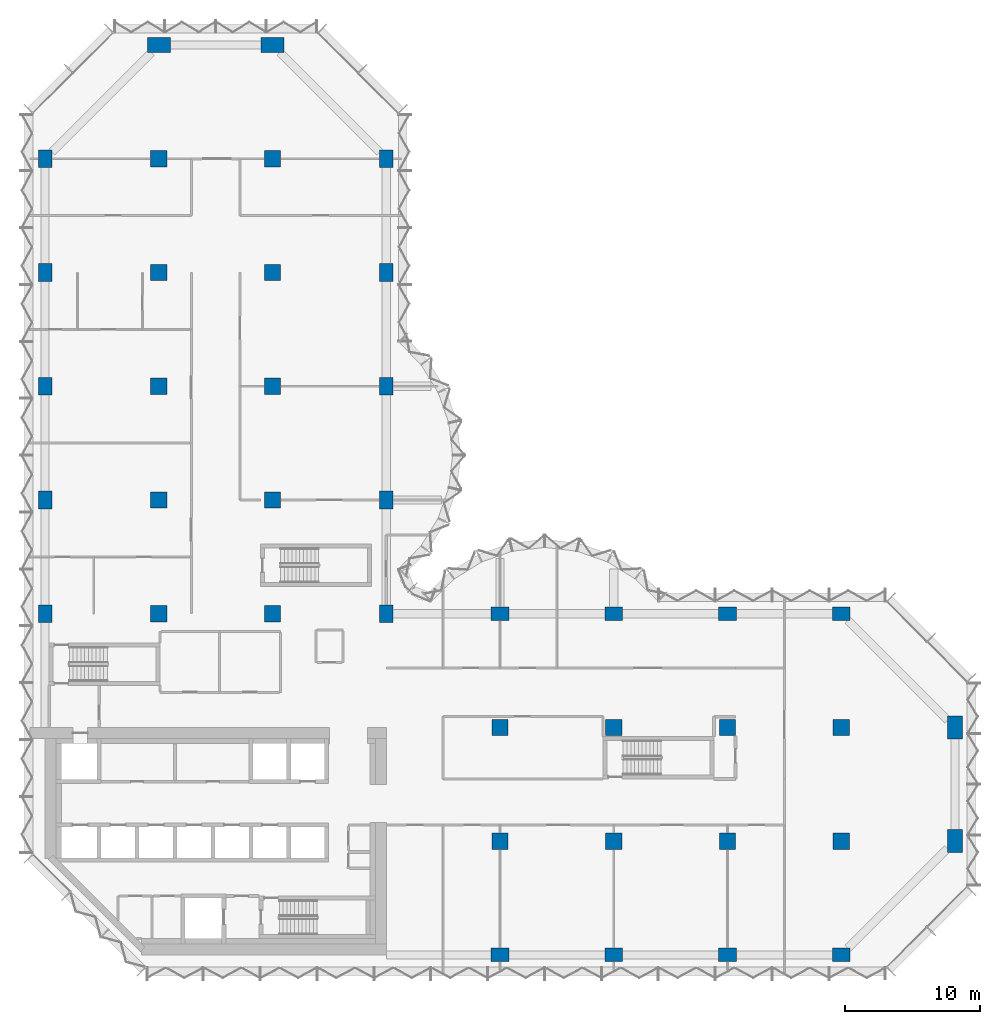
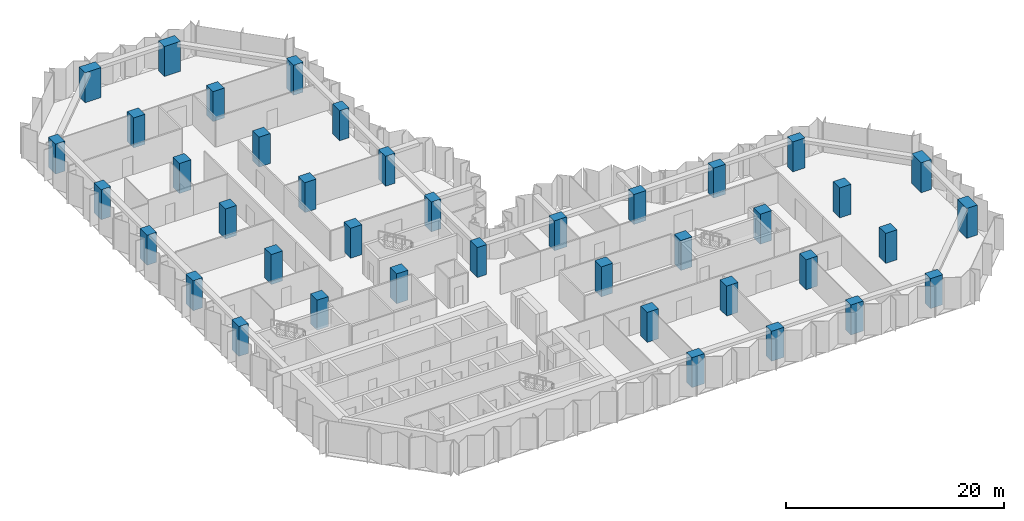
# One storey, part 1 of 13: 40 columns.
"""IFC4 building model written with IfcOpenShell, lengths in metres."""

from ifc_helpers import new_model, si_unit, direction, frame, origin, origin_2d, place, context, subcontext, project, spatial, rectangle, extrude, material, material_profile, profile_set, type_object, element, save


model = new_model("IFC4")

# Units and contexts
model_context = context("Model", 3, precision=1e-05, world=origin(), true_north=direction((0.0, 1.0)))
body_context = subcontext(model_context, "Body", "Model", "MODEL_VIEW")
ifc_project = project(units=[si_unit("LENGTHUNIT", "METRE"), si_unit("AREAUNIT", "SQUARE_METRE"), si_unit("VOLUMEUNIT", "CUBIC_METRE"), si_unit("PLANEANGLEUNIT", "RADIAN"), si_unit("MASSUNIT", "GRAM", prefix="KILO")], contexts=[model_context])

# Site, building, storey
site_placement = place(None, origin())
site = spatial("IfcSite", under=ifc_project, at=site_placement, CompositionType="ELEMENT")
building_placement = place(site_placement, origin())
building = spatial("IfcBuilding", under=site, at=building_placement, Name="Brevane Broadcast Tower", CompositionType="ELEMENT")
storey_placement = place(building_placement, frame((0.0, 0.0, 116.89990234375)))
storey = spatial("IfcBuildingStorey", under=building, at=storey_placement, Name="L28", CompositionType="ELEMENT", Elevation=116.89990234375)

# Columns
ifc_material = material(Name="Concrete C60/75", Category="concrete")
ifc_material_profile_1 = material_profile(ifc_material, rectangle(XDim=1.0, YDim=1.300048828125, at=origin_2d()), Name="RC 1000x1300")
ifc_profile_set_1 = profile_set([ifc_material_profile_1], Name="Concrete C60/75")
column_type_1 = type_object("IfcColumnType", Name="RC COLUMN EDGE 1000x1300 C60/75", PredefinedType="COLUMN", material=ifc_profile_set_1)
for number, where, z_axis, x_axis, name in (
    (1, (0.0, 25.199951171875, 0.0), (0.0, 0.0, 1.0), (1.0, 0.0, 0.0), "CE8 1/D"),
    (2, (0.0, 33.60009765625, 0.0), (0.0, 0.0, 1.0), (1.0, 0.0, 0.0), "CE8 1/E"),
    (3, (0.0, 42.0, 0.0), (0.0, 0.0, 1.0), (1.0, 0.0, 0.0), "CE8 1/F"),
    (4, (0.0, 50.39990234375, 0.0), (0.0, 0.0, 1.0), (1.0, 0.0, 0.0), "CE8 1/G"),
    (5, (0.0, 58.800048828125, 0.0), (0.0, 0.0, 1.0), (1.0, 0.0, 0.0), "CE8 1/H"),
    (6, (25.199951171875, 25.199951171875, 0.0), (0.0, 0.0, 1.0), (1.0, 0.0, 0.0), "CE8 4/D"),
    (7, (25.199951171875, 33.60009765625, 0.0), (0.0, 0.0, 1.0), (1.0, 0.0, 0.0), "CE8 4/E"),
    (8, (25.199951171875, 42.0, 0.0), (0.0, 0.0, 1.0), (1.0, 0.0, 0.0), "CE8 4/F"),
    (9, (25.199951171875, 50.39990234375, 0.0), (0.0, 0.0, 1.0), (1.0, 0.0, 0.0), "CE8 4/G"),
    (10, (25.199951171875, 58.800048828125, 0.0), (0.0, 0.0, 1.0), (1.0, 0.0, 0.0), "CE8 4/H"),
    (11, (33.60009765625, 0.0, 0.0), (0.0, 0.0, 1.0), (0.0, 1.0, 0.0), "CE8 5/A"),
    (12, (33.60009765625, 25.199951171875, 0.0), (0.0, 0.0, 1.0), (0.0, 1.0, 0.0), "CE8 5/D"),
    (13, (42.0, 0.0, 0.0), (0.0, 0.0, 1.0), (0.0, 1.0, 0.0), "CE8 6/A"),
    (14, (42.0, 25.199951171875, 0.0), (0.0, 0.0, 1.0), (0.0, 1.0, 0.0), "CE8 6/D"),
    (15, (50.39990234375, 0.0, 0.0), (0.0, 0.0, 1.0), (0.0, 1.0, 0.0), "CE8 7/A"),
    (16, (50.39990234375, 25.199951171875, 0.0), (0.0, 0.0, 1.0), (0.0, 1.0, 0.0), "CE8 7/D"),
    (17, (58.800048828125, 0.0, 0.0), (0.0, 0.0, 1.0), (0.0, 1.0, 0.0), "CE8 8/A"),
    (18, (58.800048828125, 25.199951171875, 0.0), (0.0, 0.0, 1.0), (0.0, 1.0, 0.0), "CE8 8/D"),
):
    element("IfcColumn", number, at=place(storey_placement, frame(where, z_axis=z_axis, x_axis=x_axis)), inside=storey, type_object=column_type_1, Name=name, PredefinedType="COLUMN", context=body_context, shape_type="SweptSolid", body=[
        extrude(rectangle(XDim=1.0, YDim=1.300048828125, at=origin_2d()), origin(), (0.0, 0.0, 1.0), 3.35009765625),
    ])
ifc_material_profile_2 = material_profile(ifc_material, rectangle(XDim=1.199951171875, YDim=1.199951171875, at=origin_2d()), Name="RC 1200x1200")
ifc_profile_set_2 = profile_set([ifc_material_profile_2], Name="Concrete C60/75")
column_type_2 = type_object("IfcColumnType", Name="RC COLUMN INTERIOR 1200x1200 C60/75", PredefinedType="COLUMN", material=ifc_profile_set_2)
for number, where, z_axis, x_axis, name in (
    (19, (8.39990234375, 25.199951171875, 0.0), (0.0, 0.0, 1.0), (1.0, 0.0, 0.0), "CI9 2/D"),
    (20, (8.39990234375, 33.60009765625, 0.0), (0.0, 0.0, 1.0), (1.0, 0.0, 0.0), "CI9 2/E"),
    (21, (8.39990234375, 42.0, 0.0), (0.0, 0.0, 1.0), (1.0, 0.0, 0.0), "CI9 2/F"),
    (22, (8.39990234375, 50.39990234375, 0.0), (0.0, 0.0, 1.0), (1.0, 0.0, 0.0), "CI9 2/G"),
    (23, (8.39990234375, 58.800048828125, 0.0), (0.0, 0.0, 1.0), (1.0, 0.0, 0.0), "CI9 2/H"),
    (24, (16.800048828125, 25.199951171875, 0.0), (0.0, 0.0, 1.0), (1.0, 0.0, 0.0), "CI9 3/D"),
    (25, (16.800048828125, 33.60009765625, 0.0), (0.0, 0.0, 1.0), (1.0, 0.0, 0.0), "CI9 3/E"),
    (26, (16.800048828125, 42.0, 0.0), (0.0, 0.0, 1.0), (1.0, 0.0, 0.0), "CI9 3/F"),
    (27, (16.800048828125, 50.39990234375, 0.0), (0.0, 0.0, 1.0), (1.0, 0.0, 0.0), "CI9 3/G"),
    (28, (16.800048828125, 58.800048828125, 0.0), (0.0, 0.0, 1.0), (1.0, 0.0, 0.0), "CI9 3/H"),
    (29, (33.60009765625, 8.39990234375, 0.0), (0.0, 0.0, 1.0), (1.0, 0.0, 0.0), "CI9 5/B"),
    (30, (33.60009765625, 16.800048828125, 0.0), (0.0, 0.0, 1.0), (1.0, 0.0, 0.0), "CI9 5/C"),
    (31, (42.0, 8.39990234375, 0.0), (0.0, 0.0, 1.0), (1.0, 0.0, 0.0), "CI9 6/B"),
    (32, (42.0, 16.800048828125, 0.0), (0.0, 0.0, 1.0), (1.0, 0.0, 0.0), "CI9 6/C"),
    (33, (50.39990234375, 8.39990234375, 0.0), (0.0, 0.0, 1.0), (1.0, 0.0, 0.0), "CI9 7/B"),
    (34, (50.39990234375, 16.800048828125, 0.0), (0.0, 0.0, 1.0), (1.0, 0.0, 0.0), "CI9 7/C"),
    (35, (58.800048828125, 8.39990234375, 0.0), (0.0, 0.0, 1.0), (1.0, 0.0, 0.0), "CI9 8/B"),
    (36, (58.800048828125, 16.800048828125, 0.0), (0.0, 0.0, 1.0), (1.0, 0.0, 0.0), "CI9 8/C"),
):
    element("IfcColumn", number, at=place(storey_placement, frame(where, z_axis=z_axis, x_axis=x_axis)), inside=storey, type_object=column_type_2, Name=name, PredefinedType="COLUMN", context=body_context, shape_type="SweptSolid", body=[
        extrude(rectangle(XDim=1.199951171875, YDim=1.199951171875, at=origin_2d()), origin(), (0.0, 0.0, 1.0), 3.35009765625),
    ])
ifc_material_profile_3 = material_profile(ifc_material, rectangle(XDim=1.10009765625, YDim=1.699951171875, at=origin_2d()), Name="RC 1100x1700")
ifc_profile_set_3 = profile_set([ifc_material_profile_3], Name="Concrete C60/75")
column_type_3 = type_object("IfcColumnType", Name="RC COLUMN WING-END 1100x1700 C60/75", PredefinedType="COLUMN", material=ifc_profile_set_3)
for number, where, z_axis, x_axis, name in (
    (37, (8.39990234375, 67.199951171875, 0.0), (0.0, 0.0, 1.0), (0.0, 1.0, 0.0), "CW10 2/I"),
    (38, (16.800048828125, 67.199951171875, 0.0), (0.0, 0.0, 1.0), (0.0, 1.0, 0.0), "CW10 3/I"),
    (39, (67.199951171875, 8.39990234375, 0.0), (0.0, 0.0, 1.0), (1.0, 0.0, 0.0), "CW10 9/B"),
    (40, (67.199951171875, 16.800048828125, 0.0), (0.0, 0.0, 1.0), (1.0, 0.0, 0.0), "CW10 9/C"),
):
    element("IfcColumn", number, at=place(storey_placement, frame(where, z_axis=z_axis, x_axis=x_axis)), inside=storey, type_object=column_type_3, Name=name, PredefinedType="COLUMN", context=body_context, shape_type="SweptSolid", body=[
        extrude(rectangle(XDim=1.10009765625, YDim=1.699951171875, at=origin_2d()), origin(), (0.0, 0.0, 1.0), 3.35009765625),
    ])

save(model, "model.ifc")
